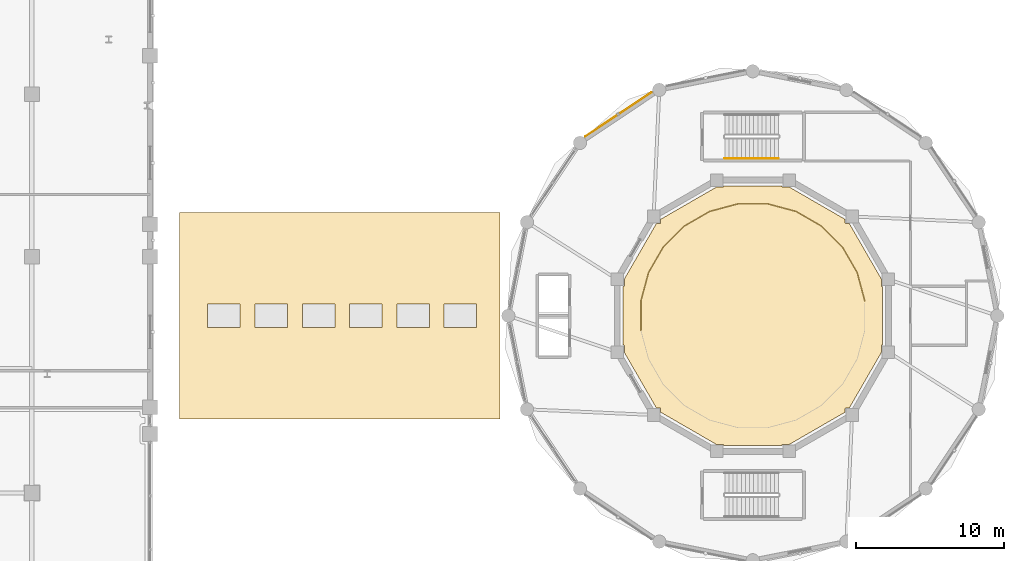
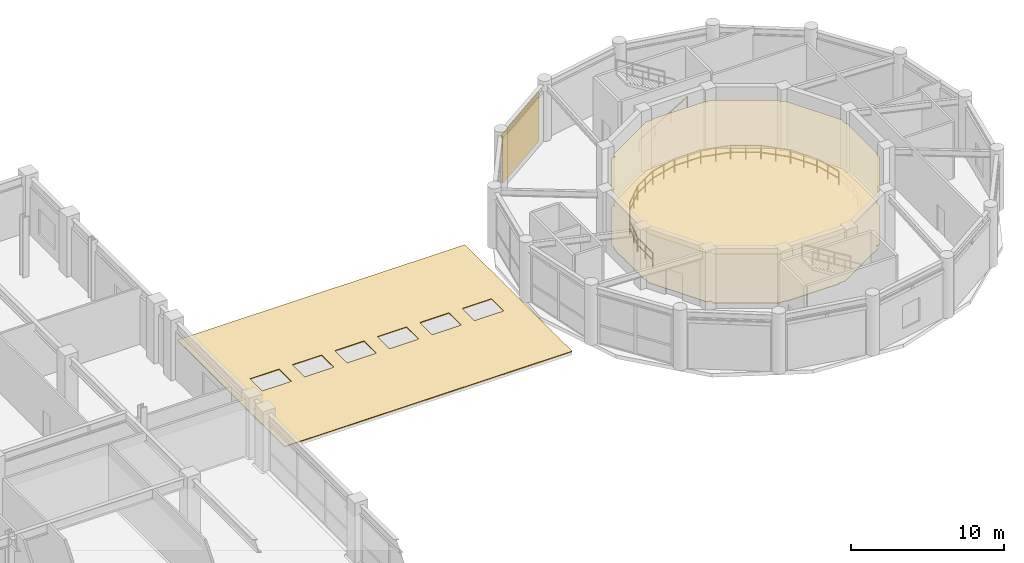
# One storey, part 32 of 34: 4 coverings, 2 railings, 1 shading device, 1 element without a shape of its own.
"""IFC4 building model written with IfcOpenShell, lengths in metres."""

import ifcopenshell
import ifcopenshell.guid

model = None  # the IFC model being written
_history = None  # IfcOwnerHistory: only IFC2X3 demands one
_inside = {}  # id of a spatial element -> (the spatial element, [elements in it])
_under = {}  # id of a project, library or spatial element -> (it, [spatial elements below it])
_declared = {}  # id of a project -> (the project, [libraries it declares])
_typed = {}  # id of a type object -> (the type object, [elements of that type])
_made_of = {}  # id of a material, layer set ... -> (it, [elements and type objects made of it])


def new_model(schema):
    """Start an empty IFC model of exactly this schema.

    Asked for "IFC4X3", IfcOpenShell would pick the latest addendum, in which some entities
    have other attributes; the version numbers below select the first issue.
    IFC2X3 requires an IfcOwnerHistory on every rooted entity: one is made here for all.
    """
    global model, _history
    if schema == "IFC4X3":
        model = ifcopenshell.file(schema_version=(4, 3, 0, 0))
    else:
        model = ifcopenshell.file(schema=schema)
    _inside.clear()
    _under.clear()
    _declared.clear()
    _typed.clear()
    _made_of.clear()
    _history = None
    if model.schema == "IFC2X3":
        org = make("IfcOrganization", Name="unknown")
        user = make(
            "IfcPersonAndOrganization",
            ThePerson=make("IfcPerson", FamilyName="unknown"),
            TheOrganization=org,
        )
        app = make(
            "IfcApplication",
            ApplicationDeveloper=org,
            Version="unknown",
            ApplicationFullName="unknown",
            ApplicationIdentifier="unknown",
        )
        _history = make(
            "IfcOwnerHistory",
            OwningUser=user,
            OwningApplication=app,
            ChangeAction="ADDED",
            CreationDate=0,
        )
    return model


def make(cls, **values):
    """One entity of the class cls with the attributes given. An attribute that is None is left unset."""
    return model.create_entity(
        cls, **{name: value for name, value in values.items() if value is not None}
    )


def rooted(cls, **values):
    """An entity with a GlobalId (a new one), such as an element, a storey or a relation."""
    return make(cls, GlobalId=ifcopenshell.guid.new(), OwnerHistory=_history, **values)


def si_unit(unit_type, name, prefix=None):
    """IfcSIUnit, for example si_unit("LENGTHUNIT", "METRE", prefix="MILLI")."""
    return make("IfcSIUnit", UnitType=unit_type, Prefix=prefix, Name=name)


def derived_unit(unit_type, elements):
    """IfcDerivedUnit: a product of units, each with its exponent."""
    return make(
        "IfcDerivedUnit",
        Elements=[
            make("IfcDerivedUnitElement", Unit=unit, Exponent=power)
            for unit, power in elements
        ],
        UnitType=unit_type,
    )


def assignment(units):
    """IfcUnitAssignment: the units of a project."""
    return None if units is None else make("IfcUnitAssignment", Units=units)


def point(xyz):
    """IfcCartesianPoint."""
    return None if xyz is None else make("IfcCartesianPoint", Coordinates=xyz)


def direction(xyz):
    """IfcDirection."""
    return None if xyz is None else make("IfcDirection", DirectionRatios=xyz)


def frame(location, z_axis=None, x_axis=None):
    """IfcAxis2Placement3D, a coordinate frame: its origin and axes. An axis left out is left unset."""
    return make(
        "IfcAxis2Placement3D",
        Location=point(location),
        Axis=direction(z_axis),
        RefDirection=direction(x_axis),
    )


def frame_2d(location, x_axis=None):
    """IfcAxis2Placement2D, a coordinate frame in the plane: its origin and x axis."""
    return make(
        "IfcAxis2Placement2D", Location=point(location), RefDirection=direction(x_axis)
    )


def origin():
    """The frame at (0, 0, 0) with its axes left unset."""
    return frame((0.0, 0.0, 0.0))


def origin_2d():
    """The frame at (0, 0) in the plane with its x axis left unset."""
    return frame_2d((0.0, 0.0))


def place(relative_to, where):
    """IfcLocalPlacement: puts the frame where relative to a parent placement (None: the world)."""
    return make(
        "IfcLocalPlacement", PlacementRelTo=relative_to, RelativePlacement=where
    )


def context(
    kind, dimensions, precision=None, world=None, true_north=None, identifier=None
):
    """IfcGeometricRepresentationContext, for example the 3D "Model" context."""
    return make(
        "IfcGeometricRepresentationContext",
        ContextIdentifier=identifier,
        ContextType=kind,
        CoordinateSpaceDimension=dimensions,
        Precision=precision,
        WorldCoordinateSystem=world,
        TrueNorth=true_north,
    )


def subcontext(parent, identifier, kind, view, scale=None):
    """IfcGeometricRepresentationSubContext, for example "Body" below "Model"."""
    return make(
        "IfcGeometricRepresentationSubContext",
        ContextIdentifier=identifier,
        ContextType=kind,
        ParentContext=parent,
        TargetScale=scale,
        TargetView=view,
    )


def project(units=None, contexts=None):
    """IfcProject with its units and contexts."""
    return rooted(
        "IfcProject",
        Name="project",
        RepresentationContexts=contexts,
        UnitsInContext=assignment(units),
    )


def spatial(cls, under=None, at=None, **own):
    """A site, building, storey or space (cls), placed at a placement, below another one or the project."""
    s = rooted(cls, ObjectPlacement=at, **own)
    if under is not None:
        _under.setdefault(under.id(), (under, []))[1].append(s)
    return s


def polyline(points):
    """IfcPolyline through the points."""
    return make("IfcPolyline", Points=[point(p) for p in points])


def profile(cls, at=None, kind="AREA", **sizes):
    """A parametric profile (cls). Its sizes go by their IFC names, for example OverallWidth=200.0."""
    return make(cls, ProfileType=kind, Position=at, **sizes)


def hollow_rectangle(**sizes):
    """IfcRectangleHollowProfileDef."""
    return profile("IfcRectangleHollowProfileDef", **sizes)


def circle(**sizes):
    """IfcCircleProfileDef."""
    return profile("IfcCircleProfileDef", **sizes)


def outline(outer, holes=None, kind="AREA"):
    """IfcArbitraryClosedProfileDef: a profile drawn as a closed curve; with holes, ...WithVoids."""
    if holes is None:
        return make("IfcArbitraryClosedProfileDef", ProfileType=kind, OuterCurve=outer)
    return make(
        "IfcArbitraryProfileDefWithVoids",
        ProfileType=kind,
        OuterCurve=outer,
        InnerCurves=holes,
    )


def extrude(swept, where, along, depth):
    """IfcExtrudedAreaSolid: the profile swept, set in the frame where, extruded along a direction by depth."""
    return make(
        "IfcExtrudedAreaSolid",
        SweptArea=swept,
        Position=where,
        ExtrudedDirection=direction(along),
        Depth=depth,
    )


def shape(context_of_items, identifier, shape_type, items):
    """IfcShapeRepresentation: the items that make up one representation, for example the "Body"."""
    return make(
        "IfcShapeRepresentation",
        ContextOfItems=context_of_items,
        RepresentationIdentifier=identifier,
        RepresentationType=shape_type,
        Items=items,
    )


def source(mapping_origin, context_of_items, identifier, shape_type, items):
    """IfcRepresentationMap: a shape defined once, which mapped items show again and again."""
    return make(
        "IfcRepresentationMap",
        MappingOrigin=mapping_origin,
        MappedRepresentation=shape(context_of_items, identifier, shape_type, items),
    )


def transform(
    local_origin,
    x_axis=None,
    y_axis=None,
    z_axis=None,
    scale=None,
    scale2=None,
    scale3=None,
    uniform=True,
):
    """IfcCartesianTransformationOperator3D, or its non-uniform kind. x_axis, y_axis, z_axis: its Axis1, 2, 3."""
    if uniform:
        return make(
            "IfcCartesianTransformationOperator3D",
            Axis1=direction(x_axis),
            Axis2=direction(y_axis),
            LocalOrigin=point(local_origin),
            Scale=scale,
            Axis3=direction(z_axis),
        )
    return make(
        "IfcCartesianTransformationOperator3DnonUniform",
        Axis1=direction(x_axis),
        Axis2=direction(y_axis),
        LocalOrigin=point(local_origin),
        Scale=scale,
        Axis3=direction(z_axis),
        Scale2=scale2,
        Scale3=scale3,
    )


def mapped(mapping_source, mapping_target):
    """IfcMappedItem: shows the shape of a source again, moved by a transform."""
    return make(
        "IfcMappedItem", MappingSource=mapping_source, MappingTarget=mapping_target
    )


def material(Name=None, Category=None):
    """IfcMaterial."""
    return make("IfcMaterial", Name=Name, Category=Category)


def layer(
    of_material, thickness, ventilated=None, Name=None, Category=None, Priority=None
):
    """IfcMaterialLayer: one layer of a wall or slab, of a material (None: an air gap)."""
    return make(
        "IfcMaterialLayer",
        Material=of_material,
        LayerThickness=thickness,
        IsVentilated=ventilated,
        Name=Name,
        Category=Category,
        Priority=Priority,
    )


def layer_set(layers, Name=None):
    """IfcMaterialLayerSet."""
    return make("IfcMaterialLayerSet", MaterialLayers=layers, LayerSetName=Name)


def material_profile(
    of_material, cross_section, Name=None, Category=None, Priority=None
):
    """IfcMaterialProfile: a cross section and its material."""
    return make(
        "IfcMaterialProfile",
        Name=Name,
        Material=of_material,
        Profile=cross_section,
        Priority=Priority,
        Category=Category,
    )


def profile_set(profiles, Name=None, composite=None):
    """IfcMaterialProfileSet."""
    return make(
        "IfcMaterialProfileSet",
        Name=Name,
        MaterialProfiles=profiles,
        CompositeProfile=composite,
    )


def made_of(thing, what):
    """Note that an element or type object is made of a material, layer set ...; save() writes the relation."""
    if what is not None:
        _made_of.setdefault(what.id(), (what, []))[1].append(thing)
    return thing


def type_object(cls, material=None, **own):
    """A type object (cls), such as IfcWallType, which elements share."""
    return made_of(rooted(cls, **own), material)


def element(
    cls,
    number,
    at=None,
    inside=None,
    cuts=None,
    type_object=None,
    material=None,
    context=None,
    identifier="Body",
    shape_type=None,
    held_by="IfcProductDefinitionShape",
    body=None,
    shapes=None,
    **own,
):
    """One element of the class cls, such as IfcWall. Its Tag is "e" and its number.

    at: its placement. inside: the storey or other place that contains it. cuts: it is an
    opening in that element (IfcRelVoidsElement). A single representation is given by context,
    identifier, shape_type and body (its items); several are given by shapes. held_by: the class
    of the entity that holds the representations. save() writes the other relations.
    """
    e = rooted(cls, Tag="e%d" % number, ObjectPlacement=at, **own)
    if body is not None:
        shapes = [shape(context, identifier, shape_type, body)]
    if shapes is not None:
        e.Representation = make(held_by, Representations=shapes)
    if inside is not None:
        _inside.setdefault(inside.id(), (inside, []))[1].append(e)
    if cuts is not None:
        rooted(
            "IfcRelVoidsElement", RelatingBuildingElement=cuts, RelatedOpeningElement=e
        )
    if type_object is not None:
        _typed.setdefault(type_object.id(), (type_object, []))[1].append(e)
    return made_of(e, material)


def aggregate(whole, parts):
    """IfcRelAggregates: a whole, such as a stair, and the parts it consists of."""
    return rooted("IfcRelAggregates", RelatingObject=whole, RelatedObjects=parts)


def save(model, path):
    """Write the relations noted so far, then the file.

    IfcRelAggregates (storeys below a building ...), IfcRelContainedInSpatialStructure (elements
    in a storey), IfcRelDefinesByType, IfcRelAssociatesMaterial and IfcRelDeclares: one each for
    every whole, place, type object, material and project.
    """
    for whole, parts in _under.values():
        aggregate(whole, parts)
    for where, things in _inside.values():
        rooted(
            "IfcRelContainedInSpatialStructure",
            RelatedElements=things,
            RelatingStructure=where,
        )
    for kind, things in _typed.values():
        rooted("IfcRelDefinesByType", RelatedObjects=things, RelatingType=kind)
    for what, things in _made_of.values():
        rooted("IfcRelAssociatesMaterial", RelatedObjects=things, RelatingMaterial=what)
    for by, libraries in _declared.values():
        rooted("IfcRelDeclares", RelatingContext=by, RelatedDefinitions=libraries)
    model.write(path)


model = new_model("IFC4")

# Units and contexts
model_context = context("Model", 3, precision=1e-05, world=origin(), true_north=direction((0.0, 1.0)))
body_context = subcontext(model_context, "Body", "Model", "MODEL_VIEW")
ifc_project = project(units=[si_unit("LENGTHUNIT", "METRE"), si_unit("AREAUNIT", "SQUARE_METRE"), si_unit("VOLUMEUNIT", "CUBIC_METRE"), si_unit("PLANEANGLEUNIT", "RADIAN"), si_unit("MASSUNIT", "GRAM", prefix="KILO"), derived_unit("THERMALTRANSMITTANCEUNIT", [(si_unit("POWERUNIT", "WATT"), 1), (si_unit("LENGTHUNIT", "METRE"), -2), (si_unit("THERMODYNAMICTEMPERATUREUNIT", "KELVIN"), -1)])], contexts=[model_context])

# Site, building, storey
site_placement = place(None, origin())
site = spatial("IfcSite", under=ifc_project, at=site_placement, CompositionType="ELEMENT")
building_placement = place(site_placement, origin())
building = spatial("IfcBuilding", under=site, at=building_placement, Name="Korsvarv Bourse and Concert Hall", CompositionType="ELEMENT")
storey_placement = place(building_placement, frame((0.0, 0.0, 14.39990234375)))
storey = spatial("IfcBuildingStorey", under=building, at=storey_placement, Name="L03", CompositionType="ELEMENT", Elevation=14.39990234375)

# Coverings
ifc_material_1 = material(Name="Perforated mineral-wool and birch acoustic baffle ceiling", Category="wood")
ifc_layer_1 = layer(ifc_material_1, 0.02490234375)
ifc_layer_set_1 = layer_set([ifc_layer_1], Name="Perforated mineral-wool and birch acoustic baffle ceiling")
covering_type_1 = type_object("IfcCoveringType", Name="COV-CEIL-1", PredefinedType="CEILING", material=ifc_layer_set_1)
covering_1_placement = place(storey_placement, frame((0.0, 0.0, 3.900146484375)))
element("IfcCovering", 1, at=covering_1_placement, inside=storey, type_object=covering_type_1, Name="L03 acoustic baffle ceiling 2", PredefinedType="CEILING", context=body_context, shape_type="SweptSolid", body=[
    extrude(outline(polyline([(113.329833984375, 29.757568359375), (113.092529296875, 29.757568359375), (113.06884765625, 29.751708984375), (113.05078125, 29.7353515625), (113.042724609375, 29.71240234375), (113.04248046875, 29.47021484375), (109.281494140625, 27.298583984375), (108.833740234375, 27.298583984375), (108.810302734375, 27.292724609375), (108.792236328125, 27.276611328125), (108.783935546875, 27.253662109375), (108.78369140625, 27.2236328125), (104.816162109375, 27.2236328125), (104.816162109375, 27.248779296875), (104.810302734375, 27.272216796875), (104.7939453125, 27.290283203125), (104.77099609375, 27.298583984375), (104.318359375, 27.298583984375), (100.5576171875, 29.47021484375), (100.5576171875, 29.70751953125), (100.551513671875, 29.731201171875), (100.535400390625, 29.7490234375), (100.512451171875, 29.75732421875), (100.270263671875, 29.757568359375), (98.0986328125, 33.518310546875), (98.0986328125, 33.96630859375), (98.0927734375, 33.98974609375), (98.076416015625, 34.0078125), (98.0537109375, 34.01611328125), (98.023681640625, 34.01611328125), (98.023681640625, 37.98388671875), (98.048583984375, 37.98388671875), (98.072265625, 37.98974609375), (98.09033203125, 38.006103515625), (98.098388671875, 38.02880859375), (98.0986328125, 38.481689453125), (100.270263671875, 42.242431640625), (100.507568359375, 42.242431640625), (100.531005859375, 42.248291015625), (100.549072265625, 42.2646484375), (100.557373046875, 42.28759765625), (100.5576171875, 42.52978515625), (104.318359375, 44.701416015625), (104.76611328125, 44.701416015625), (104.789794921875, 44.707275390625), (104.807861328125, 44.723388671875), (104.81591796875, 44.746337890625), (104.816162109375, 44.7763671875), (108.78369140625, 44.7763671875), (108.78369140625, 44.751220703125), (108.789794921875, 44.727783203125), (108.805908203125, 44.709716796875), (108.828857421875, 44.701416015625), (109.281494140625, 44.701416015625), (113.04248046875, 42.52978515625), (113.04248046875, 42.29248046875), (113.04833984375, 42.268798828125), (113.064697265625, 42.2509765625), (113.087646484375, 42.24267578125), (113.329833984375, 42.242431640625), (115.501220703125, 38.481689453125), (115.501220703125, 38.03369140625), (115.507080078125, 38.01025390625), (115.5234375, 37.9921875), (115.54638671875, 37.98388671875), (115.576416015625, 37.98388671875), (115.576416015625, 34.01611328125), (115.55126953125, 34.01611328125), (115.527587890625, 34.01025390625), (115.509765625, 33.993896484375), (115.50146484375, 33.97119140625), (115.501220703125, 33.518310546875), (113.329833984375, 29.757568359375)])), origin(), (0.0, 0.0, 1.0), 0.02490234375),
])
ifc_material_2 = material(Name="Warm iron-oxide extruded terracotta rainscreen tile", Category="ceramic")
ifc_layer_2 = layer(ifc_material_2, 0.044921875)
ifc_layer_set_2 = layer_set([ifc_layer_2], Name="Warm iron-oxide extruded terracotta rainscreen tile")
covering_type_2 = type_object("IfcCoveringType", Name="COV-CLD-TC", PredefinedType="CLADDING", material=ifc_layer_set_2)
covering_2_placement = place(storey_placement, origin())
element("IfcCovering", 2, at=covering_2_placement, inside=storey, type_object=covering_type_2, Name="L03 fluted terracotta cladding panel EW-L03-CHD06", PredefinedType="CLADDING", context=body_context, shape_type="SweptSolid", body=[
    extrude(outline(polyline([(99.94677734375, 51.105224609375), (95.46728515625, 48.112060546875), (95.442138671875, 48.1494140625), (99.921875, 51.142578125), (99.94677734375, 51.105224609375)])), origin(), (0.0, 0.0, 1.0), 3.630126953125),
])
ifc_material_3 = material(Name="Calcium-sulphate raised access trading floor with Nordic oak top", Category="wood")
ifc_layer_3 = layer(ifc_material_3, 0.0400390625)
ifc_layer_set_3 = layer_set([ifc_layer_3], Name="Calcium-sulphate raised access trading floor with Nordic oak top")
covering_type_3 = type_object("IfcCoveringType", Name="COV-FLOR-1", PredefinedType="FLOORING", material=ifc_layer_set_3)
covering_3_placement = place(storey_placement, origin())
element("IfcCovering", 3, at=covering_3_placement, inside=storey, type_object=covering_type_3, Name="L03 raised access oak floor finish 2", PredefinedType="FLOORING", context=body_context, shape_type="SweptSolid", body=[
    extrude(outline(polyline([(113.329833984375, 29.757568359375), (113.092529296875, 29.757568359375), (113.06884765625, 29.751708984375), (113.05078125, 29.7353515625), (113.042724609375, 29.71240234375), (113.04248046875, 29.47021484375), (109.281494140625, 27.298583984375), (108.833740234375, 27.298583984375), (108.810302734375, 27.292724609375), (108.792236328125, 27.276611328125), (108.783935546875, 27.253662109375), (108.78369140625, 27.2236328125), (104.816162109375, 27.2236328125), (104.816162109375, 27.248779296875), (104.810302734375, 27.272216796875), (104.7939453125, 27.290283203125), (104.77099609375, 27.298583984375), (104.318359375, 27.298583984375), (100.5576171875, 29.47021484375), (100.5576171875, 29.70751953125), (100.551513671875, 29.731201171875), (100.535400390625, 29.7490234375), (100.512451171875, 29.75732421875), (100.270263671875, 29.757568359375), (98.0986328125, 33.518310546875), (98.0986328125, 33.96630859375), (98.0927734375, 33.98974609375), (98.076416015625, 34.0078125), (98.0537109375, 34.01611328125), (98.023681640625, 34.01611328125), (98.023681640625, 37.98388671875), (98.048583984375, 37.98388671875), (98.072265625, 37.98974609375), (98.09033203125, 38.006103515625), (98.098388671875, 38.02880859375), (98.0986328125, 38.481689453125), (100.270263671875, 42.242431640625), (100.507568359375, 42.242431640625), (100.531005859375, 42.248291015625), (100.549072265625, 42.2646484375), (100.557373046875, 42.28759765625), (100.5576171875, 42.52978515625), (104.318359375, 44.701416015625), (104.76611328125, 44.701416015625), (104.789794921875, 44.707275390625), (104.807861328125, 44.723388671875), (104.81591796875, 44.746337890625), (104.816162109375, 44.7763671875), (108.78369140625, 44.7763671875), (108.78369140625, 44.751220703125), (108.789794921875, 44.727783203125), (108.805908203125, 44.709716796875), (108.828857421875, 44.701416015625), (109.281494140625, 44.701416015625), (113.04248046875, 42.52978515625), (113.04248046875, 42.29248046875), (113.04833984375, 42.268798828125), (113.064697265625, 42.2509765625), (113.087646484375, 42.24267578125), (113.329833984375, 42.242431640625), (115.501220703125, 38.481689453125), (115.501220703125, 38.03369140625), (115.507080078125, 38.01025390625), (115.5234375, 37.9921875), (115.54638671875, 37.98388671875), (115.576416015625, 37.98388671875), (115.576416015625, 34.01611328125), (115.55126953125, 34.01611328125), (115.527587890625, 34.01025390625), (115.509765625, 33.993896484375), (115.50146484375, 33.97119140625), (115.501220703125, 33.518310546875), (113.329833984375, 29.757568359375)])), origin(), (0.0, 0.0, 1.0), 0.0400390625),
])

# Roof, covering
ifc_material_4 = material(Name="Reinforced concrete C45/55 flat roof assembly", Category="concrete")
ifc_layer_4 = layer(ifc_material_4, 0.320068359375)
ifc_layer_set_4 = layer_set([ifc_layer_4], Name="Reinforced concrete C45/55 flat roof assembly")
roof_type = type_object("IfcRoofType", Name="ROOF-FLAT-1", PredefinedType="FLAT_ROOF", material=ifc_layer_set_4)
roof_placement = place(storey_placement, origin())
roof = element("IfcRoof", 4, at=roof_placement, inside=storey, type_object=roof_type, Name="L03 Link Gallery Flat Roof Assembly", PredefinedType="FLAT_ROOF")
ifc_material_5 = material(Name="Modified bitumen two-ply waterproofing and tapered PIR insulation", Category="bitumen")
ifc_layer_5 = layer(ifc_material_5, 0.06005859375)
ifc_layer_set_5 = layer_set([ifc_layer_5], Name="Modified bitumen two-ply waterproofing and tapered PIR insulation")
covering_type_4 = type_object("IfcCoveringType", Name="COV-ROOF-1", PredefinedType="ROOFING", material=ifc_layer_set_5)
covering_4_placement = place(storey_placement, frame((0.0, 0.0, 0.22021484375)))
covering_4 = element("IfcCovering", 5, at=covering_4_placement, type_object=covering_type_4, Name="L03 Link Gallery Roof Waterproofing Membrane", PredefinedType="ROOFING", context=body_context, shape_type="SweptSolid", body=[
    extrude(outline(polyline([(68.0, 29.0), (89.679931640625, 29.0), (89.679931640625, 43.0), (68.0, 43.0), (68.0, 29.0)]), holes=[polyline([(69.89990234375, 35.199951171875), (72.10009765625, 35.199951171875), (72.10009765625, 36.800048828125), (69.89990234375, 36.800048828125), (69.89990234375, 35.199951171875)]), polyline([(73.10009765625, 35.199951171875), (75.300048828125, 35.199951171875), (75.300048828125, 36.800048828125), (73.10009765625, 36.800048828125), (73.10009765625, 35.199951171875)]), polyline([(76.300048828125, 35.199951171875), (78.5, 35.199951171875), (78.5, 36.800048828125), (76.300048828125, 36.800048828125), (76.300048828125, 35.199951171875)]), polyline([(79.5, 35.199951171875), (81.699951171875, 35.199951171875), (81.699951171875, 36.800048828125), (79.5, 36.800048828125), (79.5, 35.199951171875)]), polyline([(82.699951171875, 35.199951171875), (84.89990234375, 35.199951171875), (84.89990234375, 36.800048828125), (82.699951171875, 36.800048828125), (82.699951171875, 35.199951171875)]), polyline([(85.89990234375, 35.199951171875), (88.10009765625, 35.199951171875), (88.10009765625, 36.800048828125), (85.89990234375, 36.800048828125), (85.89990234375, 35.199951171875)])]), origin(), (0.0, 0.0, 1.0), 0.059814453125),
])
aggregate(roof, [covering_4])

# Railings
ifc_material_6 = material(Name="Laminated safety glass and stainless Steel S355 balustrade", Category="steel")
railing_type_1 = type_object("IfcRailingType", Name="RL-BAL-EXT", PredefinedType="BALUSTRADE", material=ifc_material_6)
railing_1_placement = place(storey_placement, frame((114.378173828125, 36.997802734375, 0.0)))
element("IfcRailing", 6, at=railing_1_placement, inside=storey, type_object=railing_type_1, Name="L03 Symphony Auditorium Balcony Guardrail A", PredefinedType="BALUSTRADE", context=body_context, shape_type="SweptSolid", body=[
    extrude(circle(Radius=0.02392578125, at=origin_2d()), frame((0.0, 0.0, 1.1259765625), z_axis=(-0.258797247885, 0.965931666572, 0.0), x_axis=(-0.965931666572, -0.258797247885, 0.0)), (0.0, 0.0, 1.0), 1.9951171875),
    extrude(circle(Radius=0.02392578125, at=origin_2d()), frame((0.0, 0.0, 0.574951171875), z_axis=(-0.258797247885, 0.965931666572, 0.0), x_axis=(-0.965931666572, -0.258797247885, 0.0)), (0.0, 0.0, 1.0), 1.9951171875),
    extrude(circle(Radius=0.02392578125, at=origin_2d()), frame((-0.516357421875, 1.92724609375, 1.1259765625), z_axis=(-0.500047238366, 0.865998128983, 0.0), x_axis=(-0.865998128983, -0.500047238366, 0.0)), (0.0, 0.0, 1.0), 1.995361328125),
    extrude(circle(Radius=0.02392578125, at=origin_2d()), frame((-0.516357421875, 1.92724609375, 0.574951171875), z_axis=(-0.500047238366, 0.865998128983, 0.0), x_axis=(-0.865998128983, -0.500047238366, 0.0)), (0.0, 0.0, 1.0), 1.995361328125),
    extrude(circle(Radius=0.02392578125, at=origin_2d()), frame((-1.51416015625, 3.6552734375, 1.1259765625), z_axis=(-0.707045604842, 0.707167952239, 0.0), x_axis=(-0.707167952239, -0.707045604842, 0.0)), (0.0, 0.0, 1.0), 1.995361328125),
    extrude(circle(Radius=0.02392578125, at=origin_2d()), frame((-1.51416015625, 3.6552734375, 0.574951171875), z_axis=(-0.707045604842, 0.707167952239, 0.0), x_axis=(-0.707167952239, -0.707045604842, 0.0)), (0.0, 0.0, 1.0), 1.995361328125),
    extrude(circle(Radius=0.02392578125, at=origin_2d()), frame((-2.925048828125, 5.06640625, 1.1259765625), z_axis=(-0.866051110099, 0.499955472713, 0.0), x_axis=(-0.499955472713, -0.866051110099, 0.0)), (0.0, 0.0, 1.0), 1.995361328125),
    extrude(circle(Radius=0.02392578125, at=origin_2d()), frame((-2.925048828125, 5.06640625, 0.574951171875), z_axis=(-0.866051110099, 0.499955472713, 0.0), x_axis=(-0.499955472713, -0.866051110099, 0.0)), (0.0, 0.0, 1.0), 1.995361328125),
    extrude(circle(Radius=0.02392578125, at=origin_2d()), frame((-4.653076171875, 6.06396484375, 1.1259765625), z_axis=(-0.96593986049, 0.25876666307, 0.0), x_axis=(-0.25876666307, -0.96593986049, 0.0)), (0.0, 0.0, 1.0), 1.995361328125),
    extrude(circle(Radius=0.02392578125, at=origin_2d()), frame((-4.653076171875, 6.06396484375, 0.574951171875), z_axis=(-0.96593986049, 0.25876666307, 0.0), x_axis=(-0.25876666307, -0.96593986049, 0.0)), (0.0, 0.0, 1.0), 1.995361328125),
    extrude(circle(Radius=0.02392578125, at=origin_2d()), frame((-6.58056640625, 6.580322265625, 1.1259765625), z_axis=(-1.0, 0.0, 0.0), x_axis=(0.0, -1.0, 0.0)), (0.0, 0.0, 1.0), 1.995361328125),
    extrude(circle(Radius=0.02392578125, at=origin_2d()), frame((-6.58056640625, 6.580322265625, 0.574951171875), z_axis=(-1.0, 0.0, 0.0), x_axis=(0.0, -1.0, 0.0)), (0.0, 0.0, 1.0), 1.995361328125),
    extrude(circle(Radius=0.02392578125, at=origin_2d()), frame((-8.575927734375, 6.580322265625, 1.1259765625), z_axis=(-0.965931666572, -0.258797247885, 0.0), x_axis=(0.258797247885, -0.965931666572, 0.0)), (0.0, 0.0, 1.0), 1.9951171875),
    extrude(circle(Radius=0.02392578125, at=origin_2d()), frame((-8.575927734375, 6.580322265625, 0.574951171875), z_axis=(-0.965931666572, -0.258797247885, 0.0), x_axis=(0.258797247885, -0.965931666572, 0.0)), (0.0, 0.0, 1.0), 1.9951171875),
    extrude(circle(Radius=0.02392578125, at=origin_2d()), frame((-10.503173828125, 6.06396484375, 1.1259765625), z_axis=(-0.866051110099, -0.499955472713, 0.0), x_axis=(0.499955472713, -0.866051110099, 0.0)), (0.0, 0.0, 1.0), 1.995361328125),
    extrude(circle(Radius=0.02392578125, at=origin_2d()), frame((-10.503173828125, 6.06396484375, 0.574951171875), z_axis=(-0.866051110099, -0.499955472713, 0.0), x_axis=(0.499955472713, -0.866051110099, 0.0)), (0.0, 0.0, 1.0), 1.995361328125),
    extrude(circle(Radius=0.02392578125, at=origin_2d()), frame((-12.231201171875, 5.06640625, 1.1259765625), z_axis=(-0.707106781187, -0.707106781187, 0.0), x_axis=(0.707106781187, -0.707106781187, 0.0)), (0.0, 0.0, 1.0), 1.99560546875),
    extrude(circle(Radius=0.02392578125, at=origin_2d()), frame((-12.231201171875, 5.06640625, 0.574951171875), z_axis=(-0.707106781187, -0.707106781187, 0.0), x_axis=(0.707106781187, -0.707106781187, 0.0)), (0.0, 0.0, 1.0), 1.99560546875),
    extrude(circle(Radius=0.02392578125, at=origin_2d()), frame((-13.642333984375, 3.6552734375, 1.1259765625), z_axis=(-0.499955472713, -0.866051110099, 0.0), x_axis=(0.866051110099, -0.499955472713, 0.0)), (0.0, 0.0, 1.0), 1.995361328125),
    extrude(circle(Radius=0.02392578125, at=origin_2d()), frame((-13.642333984375, 3.6552734375, 0.574951171875), z_axis=(-0.499955472713, -0.866051110099, 0.0), x_axis=(0.866051110099, -0.499955472713, 0.0)), (0.0, 0.0, 1.0), 1.995361328125),
    extrude(circle(Radius=0.02392578125, at=origin_2d()), frame((-14.639892578125, 1.92724609375, 1.1259765625), z_axis=(-0.258911409855, -0.965901072495, 0.0), x_axis=(0.965901072495, -0.258911409855, 0.0)), (0.0, 0.0, 1.0), 1.995361328125),
    extrude(circle(Radius=0.02392578125, at=origin_2d()), frame((-14.639892578125, 1.92724609375, 0.574951171875), z_axis=(-0.258911409855, -0.965901072495, 0.0), x_axis=(0.965901072495, -0.258911409855, 0.0)), (0.0, 0.0, 1.0), 1.995361328125),
    extrude(circle(Radius=0.02392578125, at=origin_2d()), frame((-15.156494140625, 0.0, 1.1259765625), z_axis=(0.0, -1.0, 0.0), x_axis=(1.0, 0.0, 0.0)), (0.0, 0.0, 1.0), 1.99560546875),
    extrude(circle(Radius=0.02392578125, at=origin_2d()), frame((-15.156494140625, 0.0, 0.574951171875), z_axis=(0.0, -1.0, 0.0), x_axis=(1.0, 0.0, 0.0)), (0.0, 0.0, 1.0), 1.99560546875),
    extrude(circle(Radius=0.02099609375, at=origin_2d()), origin(), (0.0, 0.0, 1.0), 1.101806640625),
    extrude(circle(Radius=0.02099609375, at=origin_2d()), frame((-0.25830078125, 0.963623046875, 0.0)), (0.0, 0.0, 1.0), 1.101806640625),
    extrude(circle(Radius=0.02099609375, at=origin_2d()), frame((-0.516357421875, 1.92724609375, 0.0)), (0.0, 0.0, 1.0), 1.101806640625),
    extrude(circle(Radius=0.02099609375, at=origin_2d()), frame((-1.01513671875, 2.791259765625, 0.0)), (0.0, 0.0, 1.0), 1.101806640625),
    extrude(circle(Radius=0.02099609375, at=origin_2d()), frame((-1.51416015625, 3.6552734375, 0.0)), (0.0, 0.0, 1.0), 1.101806640625),
    extrude(circle(Radius=0.02099609375, at=origin_2d()), frame((-2.2197265625, 4.36083984375, 0.0)), (0.0, 0.0, 1.0), 1.101806640625),
    extrude(circle(Radius=0.02099609375, at=origin_2d()), frame((-2.925048828125, 5.06640625, 0.0)), (0.0, 0.0, 1.0), 1.101806640625),
    extrude(circle(Radius=0.02099609375, at=origin_2d()), frame((-3.7890625, 5.565185546875, 0.0)), (0.0, 0.0, 1.0), 1.101806640625),
    extrude(circle(Radius=0.02099609375, at=origin_2d()), frame((-4.653076171875, 6.06396484375, 0.0)), (0.0, 0.0, 1.0), 1.101806640625),
    extrude(circle(Radius=0.02099609375, at=origin_2d()), frame((-5.61669921875, 6.322265625, 0.0)), (0.0, 0.0, 1.0), 1.101806640625),
    extrude(circle(Radius=0.02099609375, at=origin_2d()), frame((-6.58056640625, 6.580322265625, 0.0)), (0.0, 0.0, 1.0), 1.101806640625),
    extrude(circle(Radius=0.02099609375, at=origin_2d()), frame((-7.578125, 6.580322265625, 0.0)), (0.0, 0.0, 1.0), 1.101806640625),
    extrude(circle(Radius=0.02099609375, at=origin_2d()), frame((-8.575927734375, 6.580322265625, 0.0)), (0.0, 0.0, 1.0), 1.101806640625),
    extrude(circle(Radius=0.02099609375, at=origin_2d()), frame((-9.53955078125, 6.322265625, 0.0)), (0.0, 0.0, 1.0), 1.101806640625),
    extrude(circle(Radius=0.02099609375, at=origin_2d()), frame((-10.503173828125, 6.06396484375, 0.0)), (0.0, 0.0, 1.0), 1.101806640625),
    extrude(circle(Radius=0.02099609375, at=origin_2d()), frame((-11.3671875, 5.565185546875, 0.0)), (0.0, 0.0, 1.0), 1.101806640625),
    extrude(circle(Radius=0.02099609375, at=origin_2d()), frame((-12.231201171875, 5.06640625, 0.0)), (0.0, 0.0, 1.0), 1.101806640625),
    extrude(circle(Radius=0.02099609375, at=origin_2d()), frame((-12.936767578125, 4.36083984375, 0.0)), (0.0, 0.0, 1.0), 1.101806640625),
    extrude(circle(Radius=0.02099609375, at=origin_2d()), frame((-13.642333984375, 3.6552734375, 0.0)), (0.0, 0.0, 1.0), 1.101806640625),
    extrude(circle(Radius=0.02099609375, at=origin_2d()), frame((-14.14111328125, 2.791259765625, 0.0)), (0.0, 0.0, 1.0), 1.101806640625),
    extrude(circle(Radius=0.02099609375, at=origin_2d()), frame((-14.639892578125, 1.92724609375, 0.0)), (0.0, 0.0, 1.0), 1.101806640625),
    extrude(circle(Radius=0.02099609375, at=origin_2d()), frame((-14.898193359375, 0.963623046875, 0.0)), (0.0, 0.0, 1.0), 1.101806640625),
    extrude(circle(Radius=0.02099609375, at=origin_2d()), frame((-15.156494140625, 0.0, 0.0)), (0.0, 0.0, 1.0), 1.101806640625),
    extrude(circle(Radius=0.02099609375, at=origin_2d()), frame((-15.156494140625, -0.997802734375, 0.0)), (0.0, 0.0, 1.0), 1.101806640625),
    extrude(circle(Radius=0.02099609375, at=origin_2d()), frame((-15.156494140625, -1.99560546875, 0.0)), (0.0, 0.0, 1.0), 1.101806640625),
])
ifc_material_7 = material(Name="Brushed stainless Steel S355 tubular handrail", Category="steel")
railing_type_2 = type_object("IfcRailingType", Name="RL-ST-HND", PredefinedType="HANDRAIL", material=ifc_material_7)
railing_2_placement = place(storey_placement, frame((104.89990234375, 46.64990234375, 0.171630859375)))
element("IfcRailing", 7, at=railing_2_placement, inside=storey, type_object=railing_type_2, Name="L03 ST-CH1 stair handrail 1", PredefinedType="HANDRAIL", context=body_context, shape_type="SweptSolid", body=[
    extrude(circle(Radius=0.02392578125, at=origin_2d()), frame((0.0, 0.0, 0.8759765625), z_axis=(0.852865859571, 0.0, 0.52213008492), x_axis=(0.0, 1.0, 0.0)), (0.0, 0.0, 1.0), 4.26806640625),
    extrude(circle(Radius=0.02099609375, at=origin_2d()), origin(), (0.0, 0.0, 1.0), 0.851806640625),
    extrude(circle(Radius=0.02099609375, at=origin_2d()), frame((1.21337890625, 0.0, 0.742919921875)), (0.0, 0.0, 1.0), 0.851806640625),
    extrude(circle(Radius=0.02099609375, at=origin_2d()), frame((2.4267578125, 0.0, 1.485595703125)), (0.0, 0.0, 1.0), 0.851806640625),
    extrude(circle(Radius=0.02099609375, at=origin_2d()), frame((3.64013671875, 0.0, 2.228515625)), (0.0, 0.0, 1.0), 0.851806640625),
])

# Shading device
ifc_material_8 = material(Name="Glazed extruded architectural terracotta", Category="ceramic")
ifc_material_profile = material_profile(ifc_material_8, hollow_rectangle(XDim=0.090087890625, YDim=0.260009765625, WallThickness=0.011962890625, at=origin_2d()), Name="TC-BAG 90x260")
ifc_profile_set = profile_set([ifc_material_profile], Name="Glazed extruded architectural terracotta")
shading_device_type = type_object("IfcShadingDeviceType", Name="SHD-BAG-1", PredefinedType="USERDEFINED", material=ifc_profile_set)
shared_shape = source(origin(), body_context, "Body", "SweptSolid", [
    extrude(hollow_rectangle(XDim=0.090087890625, YDim=0.260009765625, WallThickness=0.011962890625, at=origin_2d()), origin(), (0.0, 0.0, 1.0), 5.547607421875),
])
shading_device_placement = place(storey_placement, frame((99.9912109375, 51.182861328125, 3.7900390625), z_axis=(-0.831481142367, -0.555552976672, 0.0), x_axis=(0.555552976672, -0.831481142367, 0.0)))
element("IfcShadingDevice", 8, at=shading_device_placement, inside=storey, type_object=shading_device_type, Name="L03 terracotta baguette sunshade EW-L03-CHD06", ObjectType="BAGUETTE", PredefinedType="USERDEFINED", context=body_context, shape_type="MappedRepresentation", body=[
    mapped(shared_shape, transform((0.0, 0.0, 0.0), scale=1.0)),
])

save(model, "model.ifc")
